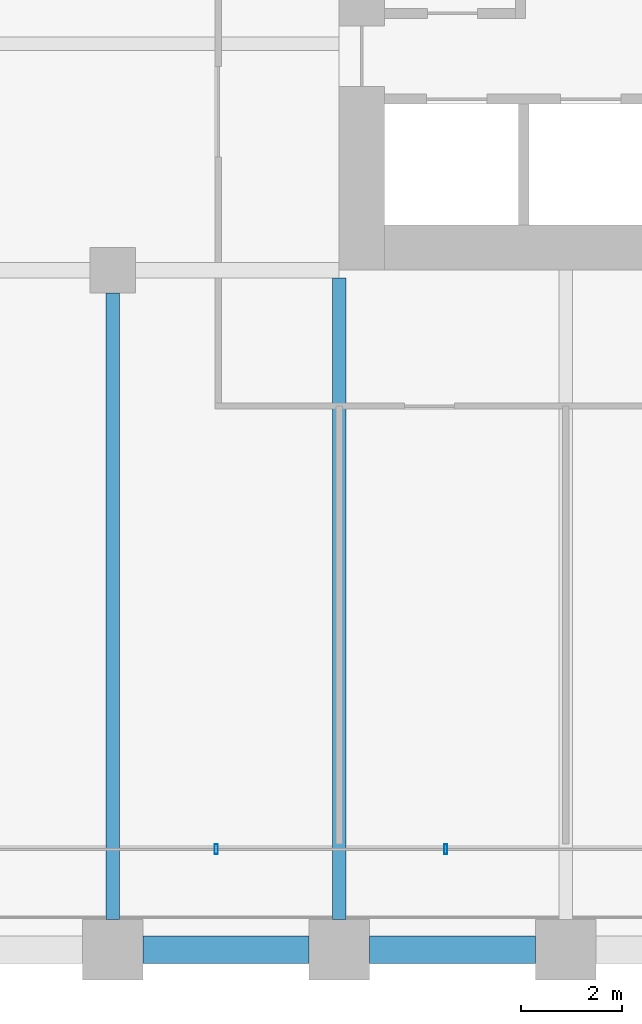
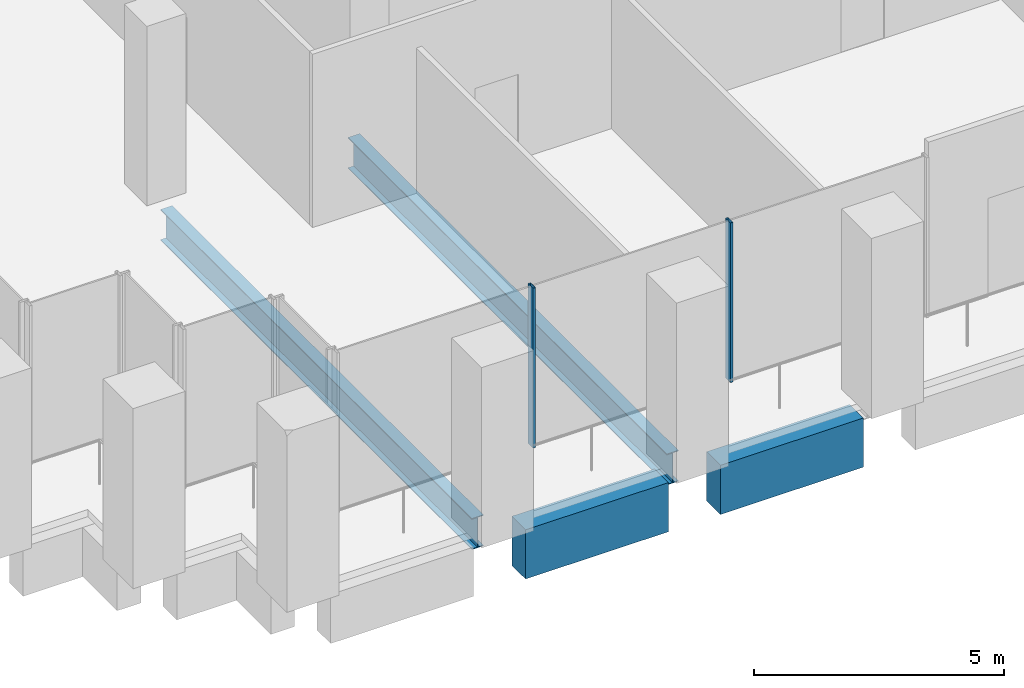
# One storey, part 3 of 36: 4 beams, 2 members, 1 element without a shape of its own.
"""IFC4 building model written with IfcOpenShell, lengths in metres."""

from ifc_helpers import new_model, si_unit, direction, frame, origin, origin_2d, place, context, subcontext, project, spatial, rectangle, hollow_rectangle, i_section, extrude, material, material_profile, profile_set, type_object, element, aggregate, save


model = new_model("IFC4")

# Units and contexts
model_context = context("Model", 3, precision=1e-05, world=origin(), true_north=direction((0.0, 1.0)))
body_context = subcontext(model_context, "Body", "Model", "MODEL_VIEW")
ifc_project = project(units=[si_unit("LENGTHUNIT", "METRE"), si_unit("AREAUNIT", "SQUARE_METRE"), si_unit("VOLUMEUNIT", "CUBIC_METRE"), si_unit("PLANEANGLEUNIT", "RADIAN"), si_unit("MASSUNIT", "GRAM", prefix="KILO")], contexts=[model_context])

# Site, building, storey
site_placement = place(None, origin())
site = spatial("IfcSite", under=ifc_project, at=site_placement, CompositionType="ELEMENT")
building_placement = place(site_placement, origin())
building = spatial("IfcBuilding", under=site, at=building_placement, Name="Altepetl Exchange Towers", CompositionType="ELEMENT")
storey_placement = place(building_placement, frame((0.0, 0.0, 43.0)))
storey = spatial("IfcBuildingStorey", under=building, at=storey_placement, Name="L09", CompositionType="ELEMENT", Elevation=43.0)

# Beams
ifc_material_1 = material(Name="Steel S355", Category="steel")
ifc_material_profile_1 = material_profile(ifc_material_1, i_section(OverallWidth=0.26611328125, OverallDepth=0.758056640625, WebThickness=0.013916015625, FlangeThickness=0.019287109375, at=origin_2d()), Name="W30X108")
ifc_profile_set_1 = profile_set([ifc_material_profile_1], Name="Steel S355")
beam_type_1 = type_object("IfcBeamType", Name="Floor beam W30X108", PredefinedType="BEAM", material=ifc_profile_set_1)
beam_1_placement = place(storey_placement, frame((36.0, 27.60009765625, -0.553955078125), z_axis=(0.0, 1.0, 0.0), x_axis=(-1.0, 0.0, 0.0)))
element("IfcBeam", 1, at=beam_1_placement, inside=storey, type_object=beam_type_1, Name="bm:A:L09:013", PredefinedType="BEAM", context=body_context, shape_type="SweptSolid", body=[
    extrude(i_section(OverallWidth=0.26611328125, OverallDepth=0.758056640625, WebThickness=0.013916015625, FlangeThickness=0.019287109375, at=origin_2d()), origin(), (0.0, 0.0, 1.0), 12.449951171875),
])
beam_2_placement = place(storey_placement, frame((40.5, 27.60009765625, -0.553955078125), z_axis=(0.0, 1.0, 0.0), x_axis=(-1.0, 0.0, 0.0)))
element("IfcBeam", 2, at=beam_2_placement, inside=storey, type_object=beam_type_1, Name="bm:A:L09:014", PredefinedType="BEAM", context=body_context, shape_type="SweptSolid", body=[
    extrude(i_section(OverallWidth=0.26611328125, OverallDepth=0.758056640625, WebThickness=0.013916015625, FlangeThickness=0.019287109375, at=origin_2d()), origin(), (0.0, 0.0, 1.0), 12.745849609375),
])

# Curtain wall, members
ifc_material_2 = material(Name="Aluminium 6063-T6 glazing", Category="aluminium")
curtain_wall_type = type_object("IfcCurtainWallType", Name="Trading floor glazing system", PredefinedType="NOTDEFINED", material=ifc_material_2)
curtain_wall_placement = place(storey_placement, origin())
curtain_wall = element("IfcCurtainWall", 3, at=curtain_wall_placement, inside=storey, type_object=curtain_wall_type, Name="CW2 run", PredefinedType="NOTDEFINED")
ifc_material_3 = material(Name="Aluminium 6063-T6", Category="aluminium")
ifc_material_profile_2 = material_profile(ifc_material_3, hollow_rectangle(XDim=0.06005859375, YDim=0.199951171875, WallThickness=0.0029296875, at=origin_2d()), Name="Mullion 60x200 aluminium")
ifc_profile_set_2 = profile_set([ifc_material_profile_2], Name="Aluminium 6063-T6")
member_type = type_object("IfcMemberType", Name="Mullion 60x200 aluminium", PredefinedType="MULLION", material=ifc_profile_set_2)
member_1_placement = place(storey_placement, frame((38.05712890625, 29.0, 0.0)))
member_1 = element("IfcMember", 4, at=member_1_placement, type_object=member_type, Name="MU2 mullion", PredefinedType="MULLION", context=body_context, shape_type="SweptSolid", body=[
    extrude(hollow_rectangle(XDim=0.06005859375, YDim=0.199951171875, WallThickness=0.0029296875, at=origin_2d()), origin(), (0.0, 0.0, 1.0), 3.89990234375),
])
member_2_placement = place(storey_placement, frame((42.6142578125, 29.0, 0.0)))
member_2 = element("IfcMember", 5, at=member_2_placement, type_object=member_type, Name="MU2 mullion", PredefinedType="MULLION", context=body_context, shape_type="SweptSolid", body=[
    extrude(hollow_rectangle(XDim=0.06005859375, YDim=0.199951171875, WallThickness=0.0029296875, at=origin_2d()), origin(), (0.0, 0.0, 1.0), 3.89990234375),
])
aggregate(curtain_wall, [member_1, member_2])

# Beams
ifc_material_4 = material(Name="Concrete C50/60 precast with cantera blanca facing", Category="concrete")
ifc_material_profile_3 = material_profile(ifc_material_4, rectangle(XDim=0.550048828125, YDim=1.199951171875, at=origin_2d()), Name="550 x 1200")
ifc_profile_set_3 = profile_set([ifc_material_profile_3], Name="Concrete C50/60 precast with cantera blanca facing")
beam_type_2 = type_object("IfcBeamType", Name="Spandrel beam 550x1200 cantera blanca", PredefinedType="SPANDREL", material=ifc_profile_set_3)
for number, where, z_axis, x_axis, name in (
    (6, (36.60009765625, 27.0, -0.77490234375), (1.0, 0.0, 0.0), (0.0, 1.0, 0.0), "sp:A:L09:001"),
    (7, (41.10009765625, 27.0, -0.77490234375), (1.0, 0.0, 0.0), (0.0, 1.0, 0.0), "sp:A:L09:002"),
):
    element("IfcBeam", number, at=place(storey_placement, frame(where, z_axis=z_axis, x_axis=x_axis)), inside=storey, type_object=beam_type_2, Name=name, PredefinedType="SPANDREL", context=body_context, shape_type="SweptSolid", body=[
        extrude(rectangle(XDim=0.550048828125, YDim=1.199951171875, at=origin_2d()), origin(), (0.0, 0.0, 1.0), 3.2998046875),
    ])

save(model, "model.ifc")
